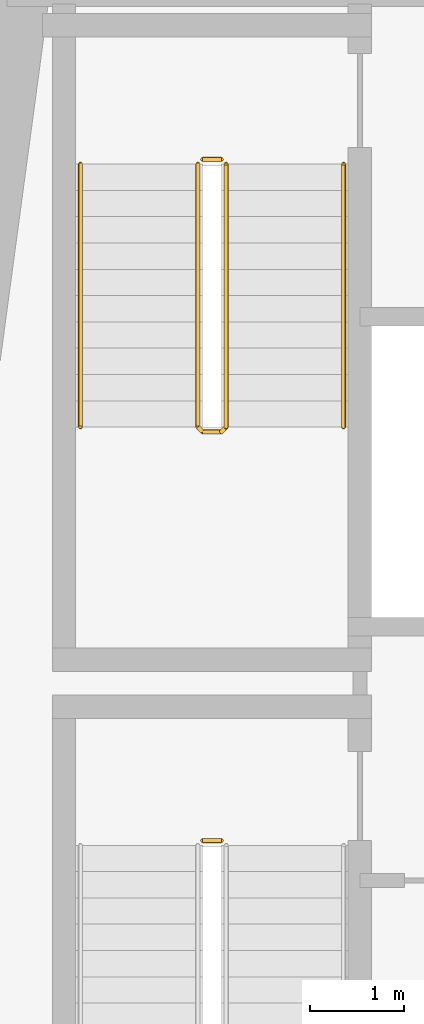
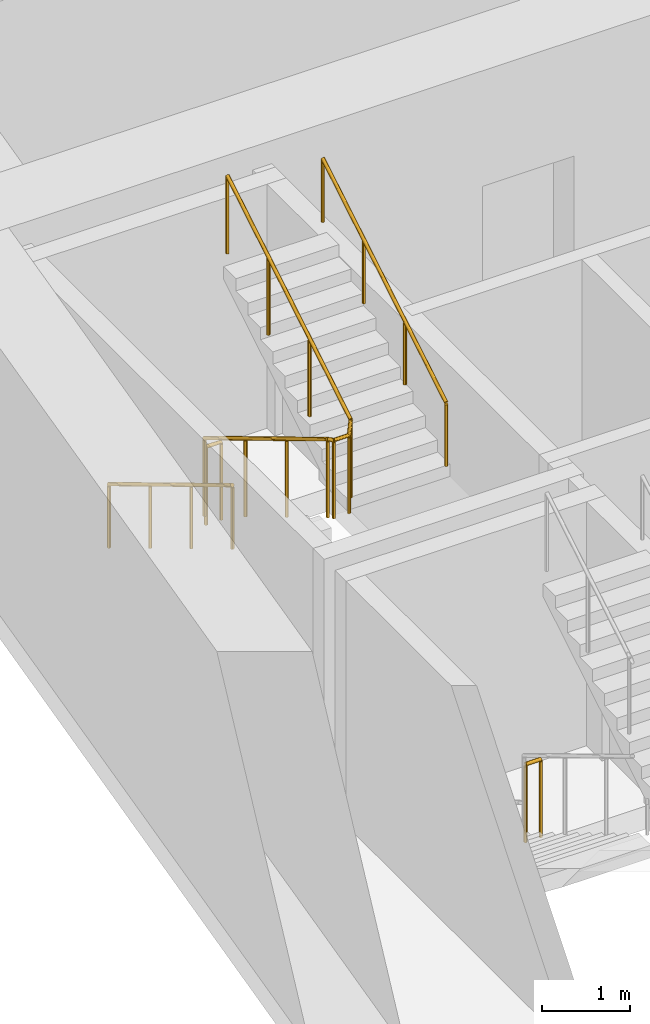
# One storey, part 11 of 14: 5 railings.
"""IFC4 building model written with IfcOpenShell, lengths in metres."""

import ifcopenshell
import ifcopenshell.guid

model = None  # the IFC model being written
_history = None  # IfcOwnerHistory: only IFC2X3 demands one
_inside = {}  # id of a spatial element -> (the spatial element, [elements in it])
_under = {}  # id of a project, library or spatial element -> (it, [spatial elements below it])
_declared = {}  # id of a project -> (the project, [libraries it declares])
_typed = {}  # id of a type object -> (the type object, [elements of that type])
_made_of = {}  # id of a material, layer set ... -> (it, [elements and type objects made of it])


def new_model(schema):
    """Start an empty IFC model of exactly this schema.

    Asked for "IFC4X3", IfcOpenShell would pick the latest addendum, in which some entities
    have other attributes; the version numbers below select the first issue.
    IFC2X3 requires an IfcOwnerHistory on every rooted entity: one is made here for all.
    """
    global model, _history
    if schema == "IFC4X3":
        model = ifcopenshell.file(schema_version=(4, 3, 0, 0))
    else:
        model = ifcopenshell.file(schema=schema)
    _inside.clear()
    _under.clear()
    _declared.clear()
    _typed.clear()
    _made_of.clear()
    _history = None
    if model.schema == "IFC2X3":
        org = make("IfcOrganization", Name="unknown")
        user = make(
            "IfcPersonAndOrganization",
            ThePerson=make("IfcPerson", FamilyName="unknown"),
            TheOrganization=org,
        )
        app = make(
            "IfcApplication",
            ApplicationDeveloper=org,
            Version="unknown",
            ApplicationFullName="unknown",
            ApplicationIdentifier="unknown",
        )
        _history = make(
            "IfcOwnerHistory",
            OwningUser=user,
            OwningApplication=app,
            ChangeAction="ADDED",
            CreationDate=0,
        )
    return model


def make(cls, **values):
    """One entity of the class cls with the attributes given. An attribute that is None is left unset."""
    return model.create_entity(
        cls, **{name: value for name, value in values.items() if value is not None}
    )


def rooted(cls, **values):
    """An entity with a GlobalId (a new one), such as an element, a storey or a relation."""
    return make(cls, GlobalId=ifcopenshell.guid.new(), OwnerHistory=_history, **values)


def si_unit(unit_type, name, prefix=None):
    """IfcSIUnit, for example si_unit("LENGTHUNIT", "METRE", prefix="MILLI")."""
    return make("IfcSIUnit", UnitType=unit_type, Prefix=prefix, Name=name)


def assignment(units):
    """IfcUnitAssignment: the units of a project."""
    return None if units is None else make("IfcUnitAssignment", Units=units)


def point(xyz):
    """IfcCartesianPoint."""
    return None if xyz is None else make("IfcCartesianPoint", Coordinates=xyz)


def direction(xyz):
    """IfcDirection."""
    return None if xyz is None else make("IfcDirection", DirectionRatios=xyz)


def frame(location, z_axis=None, x_axis=None):
    """IfcAxis2Placement3D, a coordinate frame: its origin and axes. An axis left out is left unset."""
    return make(
        "IfcAxis2Placement3D",
        Location=point(location),
        Axis=direction(z_axis),
        RefDirection=direction(x_axis),
    )


def frame_2d(location, x_axis=None):
    """IfcAxis2Placement2D, a coordinate frame in the plane: its origin and x axis."""
    return make(
        "IfcAxis2Placement2D", Location=point(location), RefDirection=direction(x_axis)
    )


def origin():
    """The frame at (0, 0, 0) with its axes left unset."""
    return frame((0.0, 0.0, 0.0))


def origin_2d():
    """The frame at (0, 0) in the plane with its x axis left unset."""
    return frame_2d((0.0, 0.0))


def place(relative_to, where):
    """IfcLocalPlacement: puts the frame where relative to a parent placement (None: the world)."""
    return make(
        "IfcLocalPlacement", PlacementRelTo=relative_to, RelativePlacement=where
    )


def context(
    kind, dimensions, precision=None, world=None, true_north=None, identifier=None
):
    """IfcGeometricRepresentationContext, for example the 3D "Model" context."""
    return make(
        "IfcGeometricRepresentationContext",
        ContextIdentifier=identifier,
        ContextType=kind,
        CoordinateSpaceDimension=dimensions,
        Precision=precision,
        WorldCoordinateSystem=world,
        TrueNorth=true_north,
    )


def subcontext(parent, identifier, kind, view, scale=None):
    """IfcGeometricRepresentationSubContext, for example "Body" below "Model"."""
    return make(
        "IfcGeometricRepresentationSubContext",
        ContextIdentifier=identifier,
        ContextType=kind,
        ParentContext=parent,
        TargetScale=scale,
        TargetView=view,
    )


def project(units=None, contexts=None):
    """IfcProject with its units and contexts."""
    return rooted(
        "IfcProject",
        Name="project",
        RepresentationContexts=contexts,
        UnitsInContext=assignment(units),
    )


def spatial(cls, under=None, at=None, **own):
    """A site, building, storey or space (cls), placed at a placement, below another one or the project."""
    s = rooted(cls, ObjectPlacement=at, **own)
    if under is not None:
        _under.setdefault(under.id(), (under, []))[1].append(s)
    return s


def profile(cls, at=None, kind="AREA", **sizes):
    """A parametric profile (cls). Its sizes go by their IFC names, for example OverallWidth=200.0."""
    return make(cls, ProfileType=kind, Position=at, **sizes)


def circle(**sizes):
    """IfcCircleProfileDef."""
    return profile("IfcCircleProfileDef", **sizes)


def extrude(swept, where, along, depth):
    """IfcExtrudedAreaSolid: the profile swept, set in the frame where, extruded along a direction by depth."""
    return make(
        "IfcExtrudedAreaSolid",
        SweptArea=swept,
        Position=where,
        ExtrudedDirection=direction(along),
        Depth=depth,
    )


def shape(context_of_items, identifier, shape_type, items):
    """IfcShapeRepresentation: the items that make up one representation, for example the "Body"."""
    return make(
        "IfcShapeRepresentation",
        ContextOfItems=context_of_items,
        RepresentationIdentifier=identifier,
        RepresentationType=shape_type,
        Items=items,
    )


def material(Name=None, Category=None):
    """IfcMaterial."""
    return make("IfcMaterial", Name=Name, Category=Category)


def made_of(thing, what):
    """Note that an element or type object is made of a material, layer set ...; save() writes the relation."""
    if what is not None:
        _made_of.setdefault(what.id(), (what, []))[1].append(thing)
    return thing


def type_object(cls, material=None, **own):
    """A type object (cls), such as IfcWallType, which elements share."""
    return made_of(rooted(cls, **own), material)


def element(
    cls,
    number,
    at=None,
    inside=None,
    cuts=None,
    type_object=None,
    material=None,
    context=None,
    identifier="Body",
    shape_type=None,
    held_by="IfcProductDefinitionShape",
    body=None,
    shapes=None,
    **own,
):
    """One element of the class cls, such as IfcWall. Its Tag is "e" and its number.

    at: its placement. inside: the storey or other place that contains it. cuts: it is an
    opening in that element (IfcRelVoidsElement). A single representation is given by context,
    identifier, shape_type and body (its items); several are given by shapes. held_by: the class
    of the entity that holds the representations. save() writes the other relations.
    """
    e = rooted(cls, Tag="e%d" % number, ObjectPlacement=at, **own)
    if body is not None:
        shapes = [shape(context, identifier, shape_type, body)]
    if shapes is not None:
        e.Representation = make(held_by, Representations=shapes)
    if inside is not None:
        _inside.setdefault(inside.id(), (inside, []))[1].append(e)
    if cuts is not None:
        rooted(
            "IfcRelVoidsElement", RelatingBuildingElement=cuts, RelatedOpeningElement=e
        )
    if type_object is not None:
        _typed.setdefault(type_object.id(), (type_object, []))[1].append(e)
    return made_of(e, material)


def aggregate(whole, parts):
    """IfcRelAggregates: a whole, such as a stair, and the parts it consists of."""
    return rooted("IfcRelAggregates", RelatingObject=whole, RelatedObjects=parts)


def save(model, path):
    """Write the relations noted so far, then the file.

    IfcRelAggregates (storeys below a building ...), IfcRelContainedInSpatialStructure (elements
    in a storey), IfcRelDefinesByType, IfcRelAssociatesMaterial and IfcRelDeclares: one each for
    every whole, place, type object, material and project.
    """
    for whole, parts in _under.values():
        aggregate(whole, parts)
    for where, things in _inside.values():
        rooted(
            "IfcRelContainedInSpatialStructure",
            RelatedElements=things,
            RelatingStructure=where,
        )
    for kind, things in _typed.values():
        rooted("IfcRelDefinesByType", RelatedObjects=things, RelatingType=kind)
    for what, things in _made_of.values():
        rooted("IfcRelAssociatesMaterial", RelatedObjects=things, RelatingMaterial=what)
    for by, libraries in _declared.values():
        rooted("IfcRelDeclares", RelatingContext=by, RelatedDefinitions=libraries)
    model.write(path)


model = new_model("IFC4")

# Units and contexts
model_context = context("Model", 3, precision=1e-05, world=origin(), true_north=direction((0.0, 1.0)))
body_context = subcontext(model_context, "Body", "Model", "MODEL_VIEW")
ifc_project = project(units=[si_unit("LENGTHUNIT", "METRE"), si_unit("AREAUNIT", "SQUARE_METRE"), si_unit("VOLUMEUNIT", "CUBIC_METRE"), si_unit("PLANEANGLEUNIT", "RADIAN"), si_unit("MASSUNIT", "GRAM", prefix="KILO")], contexts=[model_context])

# Site, building, storey
site_placement = place(None, origin())
site = spatial("IfcSite", under=ifc_project, at=site_placement, CompositionType="ELEMENT")
building_placement = place(site_placement, origin())
building = spatial("IfcBuilding", under=site, at=building_placement, Name="Candeia Pilgrim Tower and Theatre", CompositionType="ELEMENT")
storey_placement = place(building_placement, frame((0.0, 0.0, 120.60009765625)))
storey = spatial("IfcBuildingStorey", under=building, at=storey_placement, Name="L28", CompositionType="ELEMENT", Elevation=120.60009765625)

# Railings
ifc_material_1 = material(Name="Stainless steel balustrade", Category="steel")
railing_type_1 = type_object("IfcRailingType", Name="RL-GUARD-1100", PredefinedType="GUARDRAIL", material=ifc_material_1)
railing_1_placement = place(storey_placement, frame((91.152099609375, 122.52490234375, 0.0)))
element("IfcRailing", 1, at=railing_1_placement, inside=storey, type_object=railing_type_1, Name="L28 ST1 stair guard 2", PredefinedType="GUARDRAIL", context=body_context, shape_type="SweptSolid", body=[
    extrude(circle(Radius=0.02392578125, at=origin_2d()), frame((0.0, 0.0, 1.076171875), z_axis=(1.0, 0.0, 0.0), x_axis=(0.0, 1.0, 0.0)), (0.0, 0.0, 1.0), 0.199951171875),
    extrude(circle(Radius=0.02099609375, at=origin_2d()), origin(), (0.0, 0.0, 1.0), 1.052001953125),
    extrude(circle(Radius=0.02099609375, at=origin_2d()), frame((0.199951171875, 0.0, 0.0)), (0.0, 0.0, 1.0), 1.052001953125),
])
railing_2_placement = place(storey_placement, frame((91.10205078125, 129.72509765625, 0.16796875)))
element("IfcRailing", 2, at=railing_2_placement, inside=storey, type_object=railing_type_1, Name="L28 ST2 stair guard 1", PredefinedType="GUARDRAIL", context=body_context, shape_type="SweptSolid", body=[
    extrude(circle(Radius=0.02392578125, at=origin_2d()), frame((0.0, 0.0, 1.076171875), z_axis=(0.0, -0.857242210791, 0.514913383045), x_axis=(1.0, 0.0, 0.0)), (0.0, 0.0, 1.0), 3.266357421875),
    extrude(circle(Radius=0.02392578125, at=origin_2d()), frame((0.0, -2.800048828125, 2.7578125), z_axis=(0.707106781187, -0.707106781187, 0.0), x_axis=(0.707106781187, 0.707106781187, 0.0)), (0.0, 0.0, 1.0), 0.07080078125),
    extrude(circle(Radius=0.02392578125, at=origin_2d()), frame((0.050048828125, -2.85009765625, 2.7578125), z_axis=(1.0, 0.0, 0.0), x_axis=(0.0, 1.0, 0.0)), (0.0, 0.0, 1.0), 0.199951171875),
    extrude(circle(Radius=0.02392578125, at=origin_2d()), frame((0.25, -2.85009765625, 2.7578125), z_axis=(0.274243871929, 0.274243871929, 0.92172696468), x_axis=(-0.707106781187, 0.707106781187, 0.0)), (0.0, 0.0, 1.0), 0.1826171875),
    extrude(circle(Radius=0.02392578125, at=origin_2d()), frame((0.300048828125, -2.800048828125, 2.92626953125), z_axis=(0.0, 0.857242210791, 0.514913383045), x_axis=(-1.0, 0.0, 0.0)), (0.0, 0.0, 1.0), 3.266357421875),
    extrude(circle(Radius=0.02099609375, at=origin_2d()), origin(), (0.0, 0.0, 1.0), 1.052001953125),
    extrude(circle(Radius=0.02099609375, at=origin_2d()), frame((0.0, -0.933349609375, 0.560546875)), (0.0, 0.0, 1.0), 1.052001953125),
    extrude(circle(Radius=0.02099609375, at=origin_2d()), frame((0.0, -1.86669921875, 1.121337890625)), (0.0, 0.0, 1.0), 1.052001953125),
    extrude(circle(Radius=0.02099609375, at=origin_2d()), frame((0.0, -2.800048828125, 1.681884765625)), (0.0, 0.0, 1.0), 1.052001953125),
    extrude(circle(Radius=0.02099609375, at=origin_2d()), frame((0.050048828125, -2.85009765625, 1.681884765625)), (0.0, 0.0, 1.0), 1.052001953125),
    extrude(circle(Radius=0.02099609375, at=origin_2d()), frame((0.25, -2.85009765625, 1.681884765625)), (0.0, 0.0, 1.0), 1.052001953125),
    extrude(circle(Radius=0.02099609375, at=origin_2d()), frame((0.300048828125, -2.800048828125, 1.85009765625)), (0.0, 0.0, 1.0), 1.052001953125),
    extrude(circle(Radius=0.02099609375, at=origin_2d()), frame((0.300048828125, -1.86669921875, 2.41064453125)), (0.0, 0.0, 1.0), 1.052001953125),
    extrude(circle(Radius=0.02099609375, at=origin_2d()), frame((0.300048828125, -0.933349609375, 2.971435546875)), (0.0, 0.0, 1.0), 1.052001953125),
    extrude(circle(Radius=0.02099609375, at=origin_2d()), frame((0.300048828125, 0.0, 3.531982421875)), (0.0, 0.0, 1.0), 1.052001953125),
])
railing_3_placement = place(storey_placement, frame((91.152099609375, 129.77490234375, 0.0)))
element("IfcRailing", 3, at=railing_3_placement, inside=storey, type_object=railing_type_1, Name="L28 ST2 stair guard 2", PredefinedType="GUARDRAIL", context=body_context, shape_type="SweptSolid", body=[
    extrude(circle(Radius=0.02392578125, at=origin_2d()), frame((0.0, 0.0, 1.076171875), z_axis=(1.0, 0.0, 0.0), x_axis=(0.0, 1.0, 0.0)), (0.0, 0.0, 1.0), 0.199951171875),
    extrude(circle(Radius=0.02099609375, at=origin_2d()), origin(), (0.0, 0.0, 1.0), 1.052001953125),
    extrude(circle(Radius=0.02099609375, at=origin_2d()), frame((0.199951171875, 0.0, 0.0)), (0.0, 0.0, 1.0), 1.052001953125),
])
ifc_material_2 = material(Name="Stainless steel handrail", Category="steel")
railing_type_2 = type_object("IfcRailingType", Name="RL-HANDRAIL-900", PredefinedType="HANDRAIL", material=ifc_material_2)
railing_4_placement = place(storey_placement, frame((89.85205078125, 129.72509765625, 0.16796875)))
element("IfcRailing", 4, at=railing_4_placement, inside=storey, type_object=railing_type_2, Name="L28 ST2 stair handrail 1", PredefinedType="HANDRAIL", context=body_context, shape_type="SweptSolid", body=[
    extrude(circle(Radius=0.02392578125, at=origin_2d()), frame((0.0, 0.0, 0.8759765625), z_axis=(0.0, -0.857242210791, 0.514913383045), x_axis=(1.0, 0.0, 0.0)), (0.0, 0.0, 1.0), 3.266357421875),
    extrude(circle(Radius=0.02099609375, at=origin_2d()), origin(), (0.0, 0.0, 1.0), 0.851806640625),
    extrude(circle(Radius=0.02099609375, at=origin_2d()), frame((0.0, -0.933349609375, 0.560546875)), (0.0, 0.0, 1.0), 0.851806640625),
    extrude(circle(Radius=0.02099609375, at=origin_2d()), frame((0.0, -1.86669921875, 1.121337890625)), (0.0, 0.0, 1.0), 0.851806640625),
    extrude(circle(Radius=0.02099609375, at=origin_2d()), frame((0.0, -2.800048828125, 1.681884765625)), (0.0, 0.0, 1.0), 0.851806640625),
])
railing_5_placement = place(storey_placement, frame((92.652099609375, 126.925048828125, 2.01806640625)))
element("IfcRailing", 5, at=railing_5_placement, inside=storey, type_object=railing_type_2, Name="L28 ST2 stair handrail 2", PredefinedType="HANDRAIL", context=body_context, shape_type="SweptSolid", body=[
    extrude(circle(Radius=0.02392578125, at=origin_2d()), frame((0.0, 0.0, 0.8759765625), z_axis=(0.0, 0.857242210791, 0.514913383045), x_axis=(-1.0, 0.0, 0.0)), (0.0, 0.0, 1.0), 3.266357421875),
    extrude(circle(Radius=0.02099609375, at=origin_2d()), origin(), (0.0, 0.0, 1.0), 0.851806640625),
    extrude(circle(Radius=0.02099609375, at=origin_2d()), frame((0.0, 0.933349609375, 0.560546875)), (0.0, 0.0, 1.0), 0.851806640625),
    extrude(circle(Radius=0.02099609375, at=origin_2d()), frame((0.0, 1.86669921875, 1.121337890625)), (0.0, 0.0, 1.0), 0.851806640625),
    extrude(circle(Radius=0.02099609375, at=origin_2d()), frame((0.0, 2.800048828125, 1.681884765625)), (0.0, 0.0, 1.0), 0.851806640625),
])

save(model, "model.ifc")
